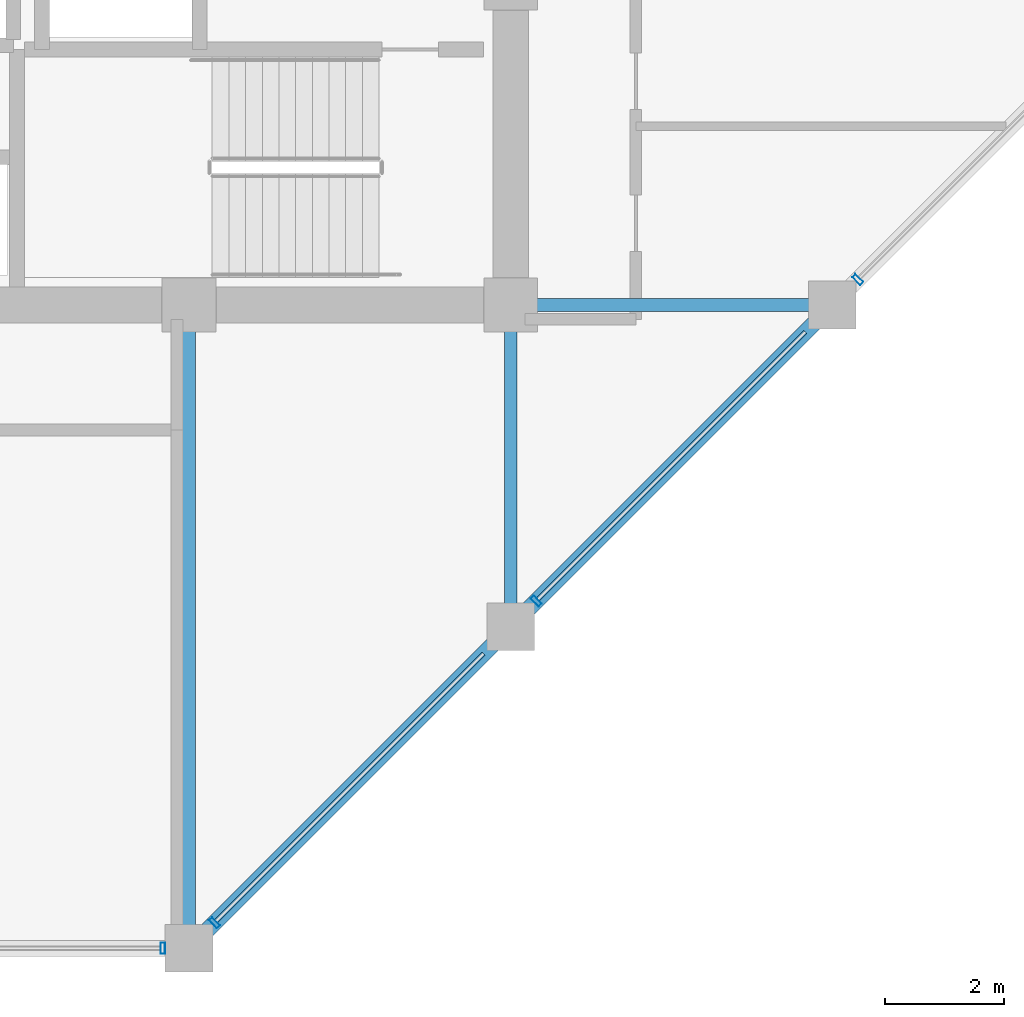
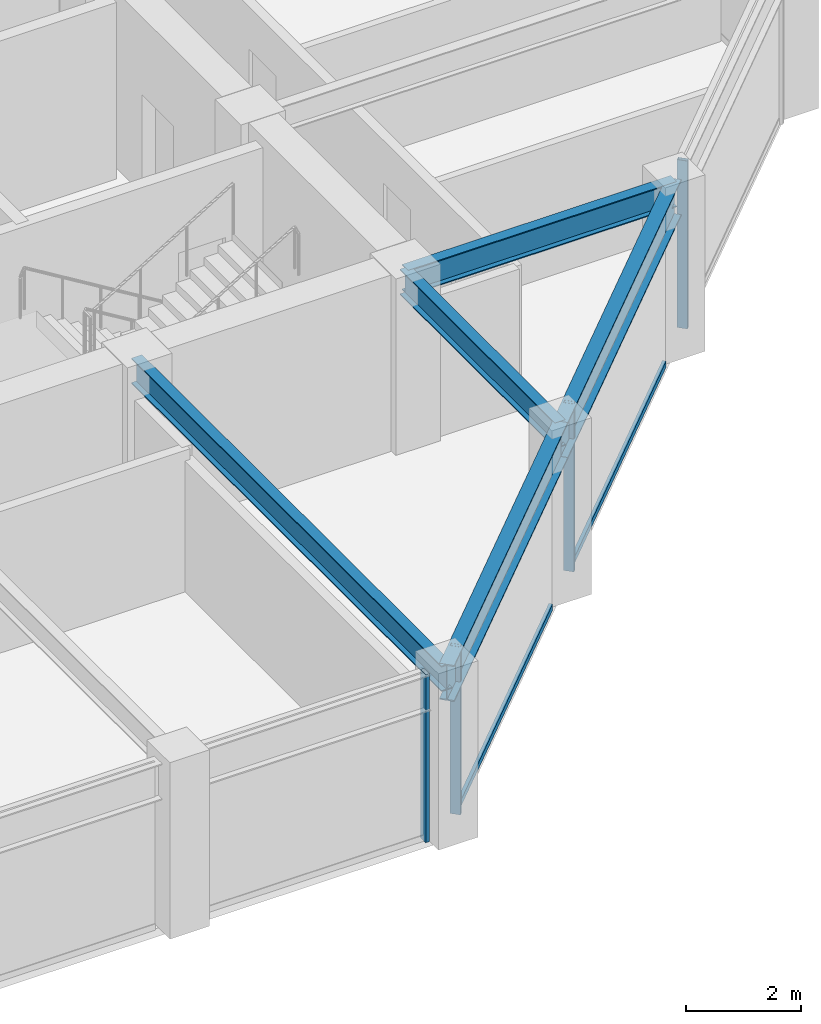
# One storey, part 12 of 32: 6 members, 5 beams, 2 elements without a shape of their own.
"""IFC4 building model written with IfcOpenShell, lengths in metres."""

from ifc_helpers import new_model, si_unit, direction, frame, origin, origin_2d, place, context, subcontext, project, spatial, hollow_rectangle, i_section, extrude, material, layer, layer_set, material_profile, profile_set, type_object, element, aggregate, save


model = new_model("IFC4")

# Units and contexts
model_context = context("Model", 3, precision=1e-05, world=origin(), true_north=direction((0.0, 1.0)))
body_context = subcontext(model_context, "Body", "Model", "MODEL_VIEW")
ifc_project = project(units=[si_unit("LENGTHUNIT", "METRE"), si_unit("AREAUNIT", "SQUARE_METRE"), si_unit("VOLUMEUNIT", "CUBIC_METRE"), si_unit("PLANEANGLEUNIT", "RADIAN"), si_unit("MASSUNIT", "GRAM", prefix="KILO")], contexts=[model_context])

# Site, building, storey
site_placement = place(None, origin())
site = spatial("IfcSite", under=ifc_project, at=site_placement, CompositionType="ELEMENT")
building_placement = place(site_placement, origin())
building = spatial("IfcBuilding", under=site, at=building_placement, Name="Surkhivell Harbour Commons", CompositionType="ELEMENT")
storey_placement = place(building_placement, frame((0.0, 0.0, 234.75)))
storey = spatial("IfcBuildingStorey", under=building, at=storey_placement, Name="L61", CompositionType="ELEMENT", Elevation=234.75)

# Beams
ifc_material_1 = material(Name="Steel S355", Category="steel")
ifc_material_profile_1 = material_profile(ifc_material_1, i_section(OverallWidth=0.2119140625, OverallDepth=0.5439453125, WebThickness=0.0126953125, FlangeThickness=0.021240234375, at=origin_2d()), Name="UB533x210x122")
ifc_profile_set_1 = profile_set([ifc_material_profile_1], Name="Steel S355")
beam_type_1 = type_object("IfcBeamType", Name="BM-GRD-533A", PredefinedType="BEAM", material=ifc_profile_set_1)
beam_1_placement = place(storey_placement, frame((5.39990234375, -21.60009765625, 3.298095703125), z_axis=(0.0, 1.0, 0.0), x_axis=(-1.0, 0.0, 0.0)))
element("IfcBeam", 1, at=beam_1_placement, inside=storey, type_object=beam_type_1, Name="L61 Floor Girder (5.4,-21.6)", PredefinedType="BEAM", context=body_context, shape_type="SweptSolid", body=[
    extrude(i_section(OverallWidth=0.2119140625, OverallDepth=0.5439453125, WebThickness=0.0126953125, FlangeThickness=0.021240234375, at=origin_2d()), origin(), (0.0, 0.0, 1.0), 10.800048828125),
])
for number, where, z_axis, x_axis, name in (
    (2, (10.800048828125, -16.199951171875, 3.298095703125), (0.0, 1.0, 0.0), (-1.0, 0.0, 0.0), "L61 Floor Girder (10.8,-16.2)"),
    (3, (10.800048828125, -10.800048828125, 3.298095703125), (1.0, 0.0, 0.0), (0.0, 1.0, 0.0), "L61 Floor Girder (10.8,-10.8)"),
):
    element("IfcBeam", number, at=place(storey_placement, frame(where, z_axis=z_axis, x_axis=x_axis)), inside=storey, type_object=beam_type_1, Name=name, PredefinedType="BEAM", context=body_context, shape_type="SweptSolid", body=[
        extrude(i_section(OverallWidth=0.2119140625, OverallDepth=0.5439453125, WebThickness=0.0126953125, FlangeThickness=0.021240234375, at=origin_2d()), origin(), (0.0, 0.0, 1.0), 5.39990234375),
    ])
ifc_material_profile_2 = material_profile(ifc_material_1, i_section(OverallWidth=0.26806640625, OverallDepth=0.77001953125, WebThickness=0.015625, FlangeThickness=0.025390625, at=origin_2d()), Name="UB762x267x197")
ifc_profile_set_2 = profile_set([ifc_material_profile_2], Name="Steel S355")
beam_type_2 = type_object("IfcBeamType", Name="BM-SPN-762", PredefinedType="SPANDREL", material=ifc_profile_set_2)
beam_2_placement = place(storey_placement, frame((5.39990234375, -21.60009765625, 3.18505859375), z_axis=(0.707106781187, 0.707106781187, 0.0), x_axis=(-0.707106781187, 0.707106781187, 0.0)))
element("IfcBeam", 4, at=beam_2_placement, inside=storey, type_object=beam_type_2, Name="L61 Tube Spandrel (5.4,-21.6)", PredefinedType="SPANDREL", context=body_context, shape_type="SweptSolid", body=[
    extrude(i_section(OverallWidth=0.26806640625, OverallDepth=0.77001953125, WebThickness=0.015625, FlangeThickness=0.025390625, at=origin_2d()), origin(), (0.0, 0.0, 1.0), 7.636962890625),
])
beam_3_placement = place(storey_placement, frame((10.800048828125, -16.199951171875, 3.18505859375), z_axis=(0.707106781187, 0.707106781187, 0.0), x_axis=(-0.707106781187, 0.707106781187, 0.0)))
element("IfcBeam", 5, at=beam_3_placement, inside=storey, type_object=beam_type_2, Name="L61 Tube Spandrel (10.8,-16.2)", PredefinedType="SPANDREL", context=body_context, shape_type="SweptSolid", body=[
    extrude(i_section(OverallWidth=0.26806640625, OverallDepth=0.77001953125, WebThickness=0.015625, FlangeThickness=0.025390625, at=origin_2d()), origin(), (0.0, 0.0, 1.0), 7.63671875),
])

# Curtain wall, member
ifc_material_2 = material(Name="Anodised pale-metal aluminium and insulated glazing", Category="aluminium")
ifc_layer = layer(ifc_material_2, 0.18994140625)
ifc_layer_set = layer_set([ifc_layer], Name="Anodised pale-metal aluminium and insulated glazing")
curtain_wall_type = type_object("IfcCurtainWallType", Name="CW-SYS-Z3", PredefinedType="NOTDEFINED", material=ifc_layer_set)
curtain_wall_1_placement = place(storey_placement, origin())
curtain_wall_1 = element("IfcCurtainWall", 6, at=curtain_wall_1_placement, inside=storey, type_object=curtain_wall_type, Name="L61 Curtain Wall CW-L61-E00S2", PredefinedType="NOTDEFINED")
ifc_material_3 = material(Name="Anodised pale-metal aluminium alloy 6063-T6", Category="aluminium")
ifc_material_profile_3 = material_profile(ifc_material_3, hollow_rectangle(XDim=0.074951171875, YDim=0.18994140625, WallThickness=0.00390625, at=origin_2d()), Name="ALU-MULL-75x190")
ifc_profile_set_3 = profile_set([ifc_material_profile_3], Name="Anodised pale-metal aluminium alloy 6063-T6")
member_type_1 = type_object("IfcMemberType", Name="CWM-190", PredefinedType="MULLION", material=ifc_profile_set_3)
member_1_placement = place(storey_placement, frame((4.96044921875, -21.60009765625, 0.0), z_axis=(0.0, 0.0, 1.0), x_axis=(1.0, 0.0, 0.0)))
member_1 = element("IfcMember", 7, at=member_1_placement, type_object=member_type_1, Name="CW-Z3 mullion 3", PredefinedType="MULLION", context=body_context, shape_type="SweptSolid", body=[
    extrude(hollow_rectangle(XDim=0.074951171875, YDim=0.18994140625, WallThickness=0.00390625, at=origin_2d()), origin(), (0.0, 0.0, 1.0), 3.570068359375),
])
aggregate(curtain_wall_1, [member_1])

# Curtain wall, members
curtain_wall_2_placement = place(storey_placement, origin())
curtain_wall_2 = element("IfcCurtainWall", 8, at=curtain_wall_2_placement, inside=storey, type_object=curtain_wall_type, Name="L61 Curtain Wall CW-L61-E01", PredefinedType="NOTDEFINED")
member_2_placement = place(storey_placement, frame((5.828125, -21.171875, 0.0), z_axis=(0.0, 0.0, 1.0), x_axis=(0.707106781187, 0.707106781187, 0.0)))
member_2 = element("IfcMember", 9, at=member_2_placement, type_object=member_type_1, Name="CW-Z3 mullion 1", PredefinedType="MULLION", context=body_context, shape_type="SweptSolid", body=[
    extrude(hollow_rectangle(XDim=0.074951171875, YDim=0.18994140625, WallThickness=0.00390625, at=origin_2d()), origin(), (0.0, 0.0, 1.0), 3.570068359375),
])
member_3_placement = place(storey_placement, frame((11.228271484375, -15.771728515625, 0.0), z_axis=(0.0, 0.0, 1.0), x_axis=(0.707106781187, 0.707106781187, 0.0)))
member_3 = element("IfcMember", 10, at=member_3_placement, type_object=member_type_1, Name="CW-Z3 mullion 2", PredefinedType="MULLION", context=body_context, shape_type="SweptSolid", body=[
    extrude(hollow_rectangle(XDim=0.074951171875, YDim=0.18994140625, WallThickness=0.00390625, at=origin_2d()), origin(), (0.0, 0.0, 1.0), 3.570068359375),
])
member_4_placement = place(storey_placement, frame((16.628173828125, -10.371826171875, 0.0), z_axis=(0.0, 0.0, 1.0), x_axis=(0.707106781187, 0.707106781187, 0.0)))
member_4 = element("IfcMember", 11, at=member_4_placement, type_object=member_type_1, Name="CW-Z3 mullion 3", PredefinedType="MULLION", context=body_context, shape_type="SweptSolid", body=[
    extrude(hollow_rectangle(XDim=0.074951171875, YDim=0.18994140625, WallThickness=0.00390625, at=origin_2d()), origin(), (0.0, 0.0, 1.0), 3.570068359375),
])
ifc_material_4 = material(Name="Champagne anodised aluminium alloy 6063-T6", Category="aluminium")
ifc_material_profile_4 = material_profile(ifc_material_4, hollow_rectangle(XDim=0.070068359375, YDim=0.1298828125, WallThickness=0.00341796875, at=origin_2d()), Name="ALU-TRAN-70x130")
ifc_profile_set_4 = profile_set([ifc_material_profile_4], Name="Champagne anodised aluminium alloy 6063-T6")
member_type_2 = type_object("IfcMemberType", Name="CWT-130", PredefinedType="USERDEFINED", material=ifc_profile_set_4)
member_5_placement = place(storey_placement, frame((5.854736328125, -21.145263671875, 0.06494140625), z_axis=(0.707106781187, 0.707106781187, 0.0), x_axis=(-0.707106781187, 0.707106781187, 0.0)))
member_5 = element("IfcMember", 12, at=member_5_placement, type_object=member_type_2, Name="CW-Z3 transom 1.1", ObjectType="TRANSOM", PredefinedType="USERDEFINED", context=body_context, shape_type="SweptSolid", body=[
    extrude(hollow_rectangle(XDim=0.070068359375, YDim=0.1298828125, WallThickness=0.00341796875, at=origin_2d()), origin(), (0.0, 0.0, 1.0), 6.3505859375),
])
member_6_placement = place(storey_placement, frame((11.254638671875, -15.745361328125, 0.06494140625), z_axis=(0.707106781187, 0.707106781187, 0.0), x_axis=(-0.707106781187, 0.707106781187, 0.0)))
member_6 = element("IfcMember", 13, at=member_6_placement, type_object=member_type_2, Name="CW-Z3 transom 2.1", ObjectType="TRANSOM", PredefinedType="USERDEFINED", context=body_context, shape_type="SweptSolid", body=[
    extrude(hollow_rectangle(XDim=0.070068359375, YDim=0.1298828125, WallThickness=0.00341796875, at=origin_2d()), origin(), (0.0, 0.0, 1.0), 6.350830078125),
])
aggregate(curtain_wall_2, [member_2, member_5, member_3, member_6, member_4])

save(model, "model.ifc")
